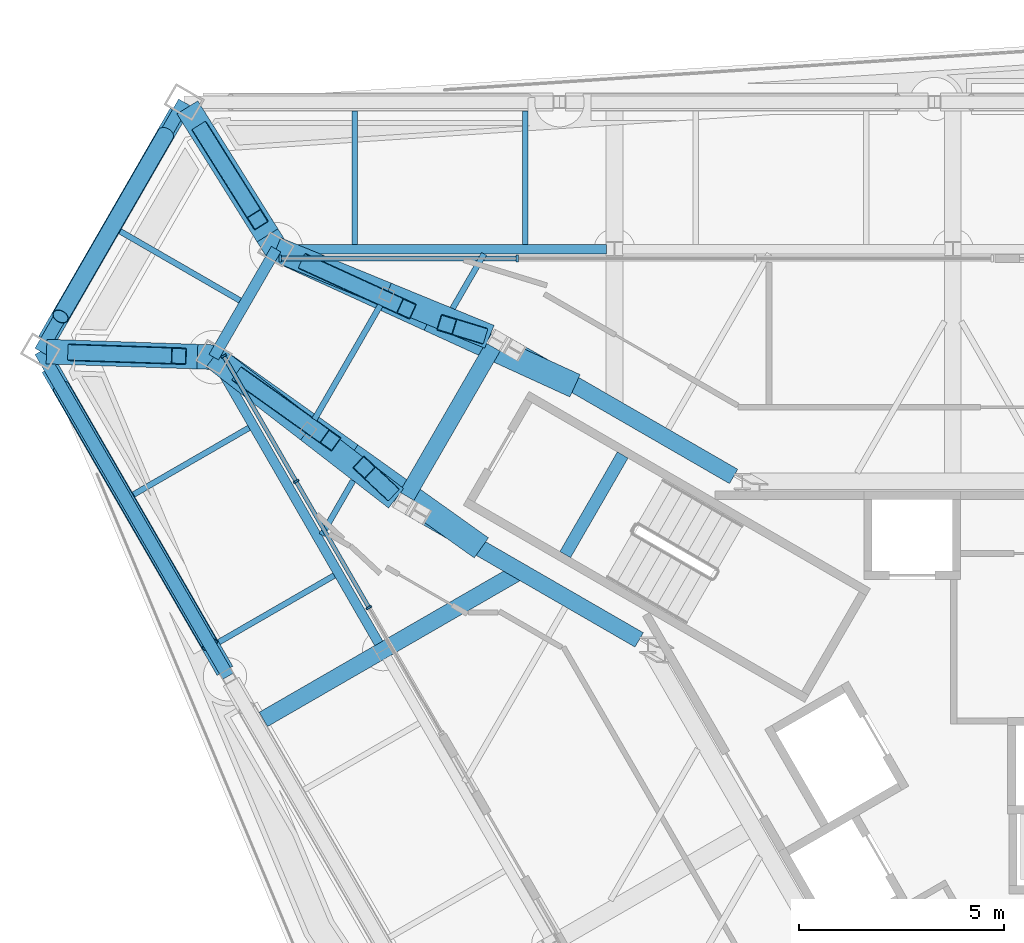
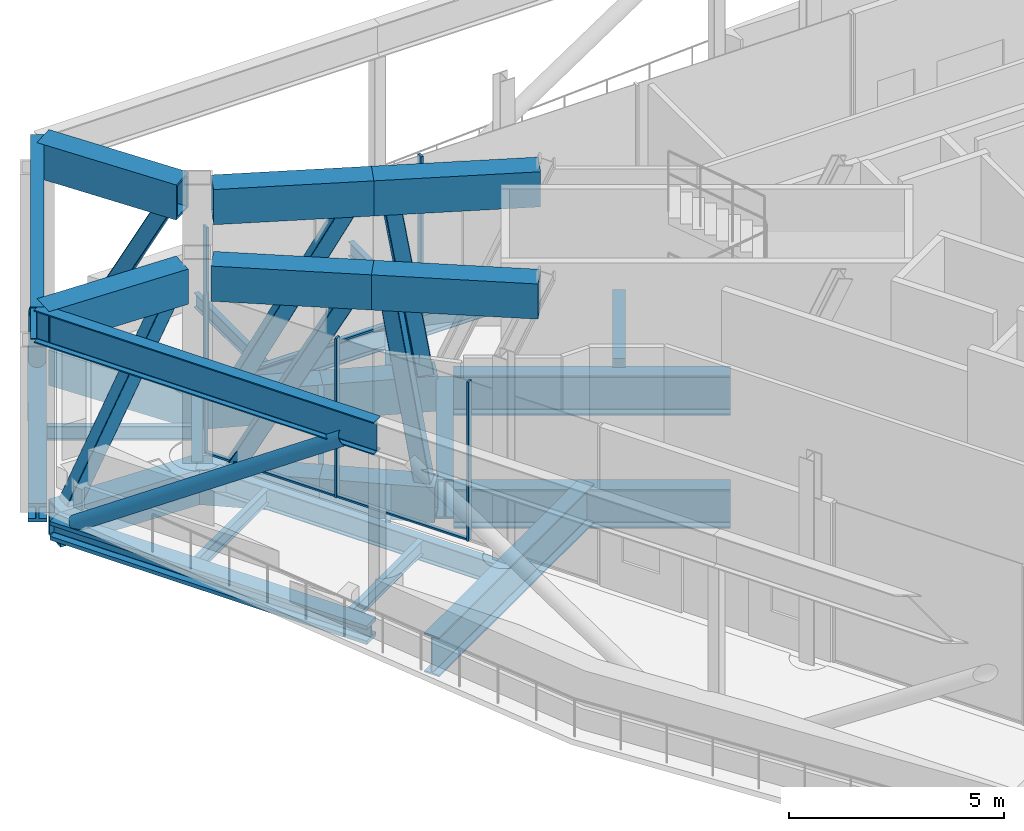
# One storey, part 10 of 25: 32 beams, 16 members, 2 elements without a shape of their own.
"""IFC4 building model written with IfcOpenShell, lengths in metres."""

from ifc_helpers import new_model, si_unit, direction, frame, origin, origin_2d, place, context, subcontext, project, spatial, rectangle, hollow_rectangle, hollow_circle, i_section, extrude, material, material_profile, profile_set, type_object, element, aggregate, save


model = new_model("IFC4")

# Units and contexts
model_context = context("Model", 3, precision=1e-05, world=origin(), true_north=direction((0.0, 1.0)))
body_context = subcontext(model_context, "Body", "Model", "MODEL_VIEW")
ifc_project = project(units=[si_unit("LENGTHUNIT", "METRE"), si_unit("AREAUNIT", "SQUARE_METRE"), si_unit("VOLUMEUNIT", "CUBIC_METRE"), si_unit("PLANEANGLEUNIT", "RADIAN"), si_unit("MASSUNIT", "GRAM", prefix="KILO")], contexts=[model_context])

# Site, building, storey
site_placement = place(None, origin())
site = spatial("IfcSite", under=ifc_project, at=site_placement, CompositionType="ELEMENT")
building_placement = place(site_placement, origin())
building = spatial("IfcBuilding", under=site, at=building_placement, Name="Verrane Prism Tower", CompositionType="ELEMENT")
storey_placement = place(building_placement, frame((0.0, 0.0, 258.199951171875)))
storey = spatial("IfcBuildingStorey", under=building, at=storey_placement, Name="L65", CompositionType="ELEMENT", Elevation=258.199951171875)

# Beams
ifc_material_1 = material(Name="Steel A992", Category="steel")
ifc_material_profile_1 = material_profile(ifc_material_1, i_section(OverallWidth=0.44189453125, OverallDepth=0.53076171875, WebThickness=0.06591796875, FlangeThickness=0.105712890625, FilletRadius=0.01513671875, at=origin_2d()), Name="W14x605")
ifc_profile_set_1 = profile_set([ifc_material_profile_1], Name="Steel A992")
beam_type_1 = type_object("IfcBeamType", Name="Belt truss chord W14x605", PredefinedType="BEAM", material=ifc_profile_set_1)
beam_1_placement = place(storey_placement, frame((-26.10888671875, 10.760009765625, -0.424560546875), z_axis=(0.500268050635, -0.865870589357, 0.0), x_axis=(0.865870589357, 0.500268050635, 0.0)))
element("IfcBeam", 1, at=beam_1_placement, inside=storey, type_object=beam_type_1, Name="Belt truss chord L65", PredefinedType="BEAM", context=body_context, shape_type="SweptSolid", body=[
    extrude(i_section(OverallWidth=0.44189453125, OverallDepth=0.53076171875, WebThickness=0.06591796875, FlangeThickness=0.105712890625, FilletRadius=0.01513671875, at=origin_2d()), origin(), (0.0, 0.0, 1.0), 8.520751953125),
])
beam_2_placement = place(storey_placement, frame((-22.989990234375, 16.97021484375, -0.424560546875), z_axis=(-0.499500311129, -0.866313707142, 0.0), x_axis=(0.866313707142, -0.499500311129, 0.0)))
element("IfcBeam", 2, at=beam_2_placement, inside=storey, type_object=beam_type_1, Name="Belt truss chord L65", PredefinedType="BEAM", context=body_context, shape_type="SweptSolid", body=[
    extrude(i_section(OverallWidth=0.44189453125, OverallDepth=0.53076171875, WebThickness=0.06591796875, FlangeThickness=0.105712890625, FilletRadius=0.01513671875, at=origin_2d()), origin(), (0.0, 0.0, 1.0), 6.40673828125),
])
ifc_material_2 = material(Name="Steel A992", Category="steel")
ifc_material_profile_2 = material_profile(ifc_material_2, i_section(OverallWidth=0.307373046875, OverallDepth=0.927001953125, WebThickness=0.01953125, FlangeThickness=0.031982421875, FilletRadius=0.01904296875, at=origin_2d()), Name="W36x194")
ifc_profile_set_2 = profile_set([ifc_material_profile_2], Name="Steel A992")
beam_type_2 = type_object("IfcBeamType", Name="Belt truss chord W36x194", PredefinedType="BEAM", material=ifc_profile_set_2)
beam_3_placement = place(storey_placement, frame((-26.340087890625, 11.159912109375, 5.176513671875), z_axis=(0.500269138002, -0.865869961116, 0.0), x_axis=(0.865869961116, 0.500269138002, 0.0)))
element("IfcBeam", 3, at=beam_3_placement, inside=storey, type_object=beam_type_2, Name="Belt truss chord L65", PredefinedType="BEAM", context=body_context, shape_type="SweptSolid", body=[
    extrude(i_section(OverallWidth=0.307373046875, OverallDepth=0.927001953125, WebThickness=0.01953125, FlangeThickness=0.031982421875, FilletRadius=0.01904296875, at=origin_2d()), origin(), (0.0, 0.0, 1.0), 9.13525390625),
])
beam_4_placement = place(storey_placement, frame((-22.840087890625, 17.22998046875, 5.176513671875), z_axis=(-0.499512296699, -0.866306796375, 0.0), x_axis=(0.866306796375, -0.499512296699, 0.0)))
element("IfcBeam", 4, at=beam_4_placement, inside=storey, type_object=beam_type_2, Name="Belt truss chord L65", PredefinedType="BEAM", context=body_context, shape_type="SweptSolid", body=[
    extrude(i_section(OverallWidth=0.307373046875, OverallDepth=0.927001953125, WebThickness=0.01953125, FlangeThickness=0.031982421875, FilletRadius=0.01904296875, at=origin_2d()), origin(), (0.0, 0.0, 1.0), 7.0068359375),
])

# Members
ifc_material_3 = material(Name="Steel A500 Grade C", Category="steel")
ifc_material_profile_3 = material_profile(ifc_material_3, hollow_circle(Radius=0.203125, WallThickness=0.0126953125, at=origin_2d()), Name="HSS16.000x0.500")
ifc_profile_set_3 = profile_set([ifc_material_profile_3], Name="Steel A500 Grade C")
member_type_1 = type_object("IfcMemberType", Name="Belt truss diagonal HSS16.000x0.500", PredefinedType="BRACE", material=ifc_profile_set_3)
member_1_placement = place(storey_placement, frame((-23.28759765625, 16.45361328125, -0.158935546875), z_axis=(-0.358144666425, -0.621104896538, 0.697109105813), x_axis=(0.866297303456, -0.499528759958, 0.0)))
element("IfcMember", 5, at=member_1_placement, inside=storey, type_object=member_type_1, Name="Belt truss diagonal L65", PredefinedType="BRACE", context=body_context, shape_type="SweptSolid", body=[
    extrude(hollow_circle(Radius=0.203125, WallThickness=0.0126953125, at=origin_2d()), origin(), (0.0, 0.0, 1.0), 7.153564453125),
])
member_2_placement = place(storey_placement, frame((-25.835205078125, 10.28662109375, -0.158935546875), z_axis=(0.412055631468, -0.713241538327, 0.567006758849), x_axis=(0.865885833948, 0.500241664167, 0.0)))
element("IfcMember", 6, at=member_2_placement, inside=storey, type_object=member_type_1, Name="Belt truss diagonal L65", PredefinedType="BRACE", context=body_context, shape_type="SweptSolid", body=[
    extrude(hollow_circle(Radius=0.203125, WallThickness=0.0126953125, at=origin_2d()), origin(), (0.0, 0.0, 1.0), 8.794921875),
])

# Beams
ifc_material_4 = material(Name="Steel A992", Category="steel")
ifc_material_profile_4 = material_profile(ifc_material_4, i_section(OverallWidth=0.2666015625, OverallDepth=0.7568359375, WebThickness=0.013916015625, FlangeThickness=0.019287109375, FilletRadius=0.0166015625, at=origin_2d()), Name="W30x108")
ifc_profile_set_4 = profile_set([ifc_material_profile_4], Name="Steel A992")
beam_type_3 = type_object("IfcBeamType", Name="Chamfer spandrel beam W30x108", PredefinedType="SPANDREL", material=ifc_profile_set_4)
beam_5_placement = place(storey_placement, frame((-20.60009765625, 13.64990234375, -0.538330078125), z_axis=(-0.500408821137, -0.865789242096, 0.0), x_axis=(0.865789242096, -0.500408821137, 0.0)))
element("IfcBeam", 7, at=beam_5_placement, inside=storey, type_object=beam_type_3, Name="Chamfer spandrel beam L65", PredefinedType="SPANDREL", context=body_context, shape_type="SweptSolid", body=[
    extrude(i_section(OverallWidth=0.2666015625, OverallDepth=0.7568359375, WebThickness=0.013916015625, FlangeThickness=0.019287109375, FilletRadius=0.0166015625, at=origin_2d()), origin(), (0.0, 0.0, 1.0), 3.03759765625),
])
ifc_material_5 = material(Name="Steel A992", Category="steel")
ifc_material_profile_5 = material_profile(ifc_material_5, i_section(OverallWidth=0.140380859375, OverallDepth=0.40380859375, WebThickness=0.007080078125, FlangeThickness=0.01123046875, FilletRadius=0.01025390625, at=origin_2d()), Name="W16x31")
ifc_profile_set_5 = profile_set([ifc_material_profile_5], Name="Steel A992")
beam_type_4 = type_object("IfcBeamType", Name="Floor beam W16x31", PredefinedType="BEAM", material=ifc_profile_set_5)
for number, where, z_axis, x_axis, name in (
    (8, (-14.534423828125, 13.764892578125, -0.36181640625), (0.0, 1.0, 0.0), (-1.0, 0.0, 0.0), "Floor beam L65"),
    (9, (-18.687255859375, 13.764892578125, -0.36181640625), (0.0, 1.0, 0.0), (-1.0, 0.0, 0.0), "Floor beam L65"),
):
    element("IfcBeam", number, at=place(storey_placement, frame(where, z_axis=z_axis, x_axis=x_axis)), inside=storey, type_object=beam_type_4, Name=name, PredefinedType="BEAM", context=body_context, shape_type="SweptSolid", body=[
        extrude(i_section(OverallWidth=0.140380859375, OverallDepth=0.40380859375, WebThickness=0.007080078125, FlangeThickness=0.01123046875, FilletRadius=0.01025390625, at=origin_2d()), origin(), (0.0, 0.0, 1.0), 3.244140625),
    ])
beam_6_placement = place(storey_placement, frame((-16.30078125, 12.208251953125, -0.36181640625), z_axis=(0.499961586444, 0.866047580726, 0.0), x_axis=(-0.866047580726, 0.499961586444, 0.0)))
element("IfcBeam", 10, at=beam_6_placement, inside=storey, type_object=beam_type_4, Name="Floor beam L65", PredefinedType="BEAM", context=body_context, shape_type="SweptSolid", body=[
    extrude(i_section(OverallWidth=0.140380859375, OverallDepth=0.40380859375, WebThickness=0.007080078125, FlangeThickness=0.01123046875, FilletRadius=0.01025390625, at=origin_2d()), origin(), (0.0, 0.0, 1.0), 1.53173828125),
])
beam_7_placement = place(storey_placement, frame((-21.994384765625, 4.080322265625, -0.36181640625), z_axis=(0.86601641886, 0.500015562023, 0.0), x_axis=(-0.500015562023, 0.86601641886, 0.0)))
element("IfcBeam", 11, at=beam_7_placement, inside=storey, type_object=beam_type_4, Name="Floor beam L65", PredefinedType="BEAM", context=body_context, shape_type="SweptSolid", body=[
    extrude(i_section(OverallWidth=0.140380859375, OverallDepth=0.40380859375, WebThickness=0.007080078125, FlangeThickness=0.01123046875, FilletRadius=0.01025390625, at=origin_2d()), origin(), (0.0, 0.0, 1.0), 3.24462890625),
])
beam_8_placement = place(storey_placement, frame((-24.071533203125, 7.67529296875, -0.36181640625), z_axis=(0.866022812202, 0.500004488726, 0.0), x_axis=(-0.500004488726, 0.866022812202, 0.0)))
element("IfcBeam", 12, at=beam_8_placement, inside=storey, type_object=beam_type_4, Name="Floor beam L65", PredefinedType="BEAM", context=body_context, shape_type="SweptSolid", body=[
    extrude(i_section(OverallWidth=0.140380859375, OverallDepth=0.40380859375, WebThickness=0.007080078125, FlangeThickness=0.01123046875, FilletRadius=0.01025390625, at=origin_2d()), origin(), (0.0, 0.0, 1.0), 3.2470703125),
])
beam_9_placement = place(storey_placement, frame((-19.48876953125, 6.690185546875, -0.36181640625), z_axis=(0.500040617714, 0.866001951866, 0.0), x_axis=(-0.866001951866, 0.500040617714, 0.0)))
element("IfcBeam", 13, at=beam_9_placement, inside=storey, type_object=beam_type_4, Name="Floor beam L65", PredefinedType="BEAM", context=body_context, shape_type="SweptSolid", body=[
    extrude(i_section(OverallWidth=0.140380859375, OverallDepth=0.40380859375, WebThickness=0.007080078125, FlangeThickness=0.01123046875, FilletRadius=0.01025390625, at=origin_2d()), origin(), (0.0, 0.0, 1.0), 1.527587890625),
])
beam_10_placement = place(storey_placement, frame((-21.477783203125, 12.398193359375, -0.36181640625), z_axis=(-0.866038524942, 0.4999772728, 0.0), x_axis=(-0.4999772728, -0.866038524942, 0.0)))
element("IfcBeam", 14, at=beam_10_placement, inside=storey, type_object=beam_type_4, Name="Floor beam L65", PredefinedType="BEAM", context=body_context, shape_type="SweptSolid", body=[
    extrude(i_section(OverallWidth=0.140380859375, OverallDepth=0.40380859375, WebThickness=0.007080078125, FlangeThickness=0.01123046875, FilletRadius=0.01025390625, at=origin_2d()), origin(), (0.0, 0.0, 1.0), 3.372802734375),
])
beam_11_placement = place(storey_placement, frame((-19.66796875, 9.501708984375, -0.36181640625), z_axis=(0.500014160211, 0.866017228228, 0.0), x_axis=(-0.866017228228, 0.500014160211, 0.0)))
element("IfcBeam", 15, at=beam_11_placement, inside=storey, type_object=beam_type_4, Name="Floor beam L65", PredefinedType="BEAM", context=body_context, shape_type="SweptSolid", body=[
    extrude(i_section(OverallWidth=0.140380859375, OverallDepth=0.40380859375, WebThickness=0.007080078125, FlangeThickness=0.01123046875, FilletRadius=0.01025390625, at=origin_2d()), origin(), (0.0, 0.0, 1.0), 3.2119140625),
])

# Curtain wall, members
ifc_material_6 = material(Name="Aluminium framed insulated glazing", Category="aluminium")
curtain_wall_type_1 = type_object("IfcCurtainWallType", Name="Curtain wall CW-C 4200 module", PredefinedType="NOTDEFINED", material=ifc_material_6)
curtain_wall_1_placement = place(storey_placement, origin())
curtain_wall_1 = element("IfcCurtainWall", 16, at=curtain_wall_1_placement, inside=storey, type_object=curtain_wall_type_1, Name="Refuge lounge glazing south-west face L65 1", PredefinedType="NOTDEFINED")
ifc_material_7 = material(Name="Aluminium alloy 6063-T6", Category="aluminium")
ifc_material_profile_6 = material_profile(ifc_material_7, rectangle(XDim=0.139892578125, YDim=0.050048828125, at=origin_2d()), Name="Mullion 50x140 aluminium")
ifc_profile_set_6 = profile_set([ifc_material_profile_6], Name="Aluminium alloy 6063-T6")
member_type_2 = type_object("IfcMemberType", Name="Mullion 50x140 aluminium", PredefinedType="MULLION", material=ifc_profile_set_6)
member_3_placement = place(storey_placement, frame((-21.876708984375, 11.048095703125, 0.0), z_axis=(0.0, 0.0, 1.0), x_axis=(0.866026892468, 0.499997421516, 0.0)))
member_3 = element("IfcMember", 17, at=member_3_placement, type_object=member_type_2, Name="CW65.4.1 mullion 1", PredefinedType="MULLION", context=body_context, shape_type="SweptSolid", body=[
    extrude(rectangle(XDim=0.139892578125, YDim=0.050048828125, at=origin_2d()), origin(), (0.0, 0.0, 1.0), 4.5224609375),
])
member_4_placement = place(storey_placement, frame((-20.114013671875, 7.9951171875, 0.0), z_axis=(0.0, 0.0, 1.0), x_axis=(0.866026892468, 0.499997421516, 0.0)))
member_4 = element("IfcMember", 18, at=member_4_placement, type_object=member_type_2, Name="CW65.4.1 mullion 2", PredefinedType="MULLION", context=body_context, shape_type="SweptSolid", body=[
    extrude(rectangle(XDim=0.139892578125, YDim=0.050048828125, at=origin_2d()), origin(), (0.0, 0.0, 1.0), 4.5224609375),
])
member_5_placement = place(storey_placement, frame((-18.3388671875, 4.92041015625, 0.0), z_axis=(0.0, 0.0, 1.0), x_axis=(0.866026892468, 0.499997421516, 0.0)))
member_5 = element("IfcMember", 19, at=member_5_placement, type_object=member_type_2, Name="CW65.4.1 mullion 3", PredefinedType="MULLION", context=body_context, shape_type="SweptSolid", body=[
    extrude(rectangle(XDim=0.139892578125, YDim=0.050048828125, at=origin_2d()), origin(), (0.0, 0.0, 1.0), 4.5224609375),
])

ifc_material_8 = material(Name="Aluminium framed insulated glazing", Category="aluminium")
curtain_wall_type_2 = type_object("IfcCurtainWallType", Name="Curtain wall CW-B 5600 module", PredefinedType="NOTDEFINED", material=ifc_material_8)
curtain_wall_2_placement = place(storey_placement, origin())
curtain_wall_2 = element("IfcCurtainWall", 20, at=curtain_wall_2_placement, inside=storey, type_object=curtain_wall_type_2, Name="Refuge lounge glazing north face L65 2", PredefinedType="NOTDEFINED")
ifc_material_9 = material(Name="Aluminium alloy 6063-T6", Category="aluminium")
ifc_material_profile_7 = material_profile(ifc_material_9, rectangle(XDim=0.159912109375, YDim=0.06005859375, at=origin_2d()), Name="Mullion 60x160 aluminium")
ifc_profile_set_7 = profile_set([ifc_material_profile_7], Name="Aluminium alloy 6063-T6")
member_type_3 = type_object("IfcMemberType", Name="Mullion 60x160 aluminium", PredefinedType="MULLION", material=ifc_profile_set_7)
member_6_placement = place(storey_placement, frame((-14.73095703125, 13.421875, 0.0), z_axis=(0.0, 0.0, 1.0), x_axis=(0.0, -1.0, 0.0)))
member_6 = element("IfcMember", 21, at=member_6_placement, type_object=member_type_3, Name="CW65.2.2 mullion 3", PredefinedType="MULLION", context=body_context, shape_type="SweptSolid", body=[
    extrude(rectangle(XDim=0.159912109375, YDim=0.06005859375, at=origin_2d()), origin(), (0.0, 0.0, 1.0), 4.5224609375),
])
member_7_placement = place(storey_placement, frame((-20.50146484375, 13.421875, 0.0), z_axis=(0.0, 0.0, 1.0), x_axis=(0.0, -1.0, 0.0)))
member_7 = element("IfcMember", 22, at=member_7_placement, type_object=member_type_3, Name="CW65.2.2 mullion 4", PredefinedType="MULLION", context=body_context, shape_type="SweptSolid", body=[
    extrude(rectangle(XDim=0.159912109375, YDim=0.06005859375, at=origin_2d()), origin(), (0.0, 0.0, 1.0), 4.5224609375),
])

# Beams
ifc_material_10 = material(Name="Steel A572 Grade 50", Category="steel")
ifc_material_profile_8 = material_profile(ifc_material_10, hollow_rectangle(XDim=0.60009765625, YDim=1.0, WallThickness=0.06005859375, at=origin_2d()), Name="BOX 1000x600x60")
ifc_profile_set_8 = profile_set([ifc_material_profile_8], Name="Steel A572 Grade 50")
beam_type_5 = type_object("IfcBeamType", Name="Outrigger truss chord BOX 1000x600x60", PredefinedType="BEAM", material=ifc_profile_set_8)
beam_12_placement = place(storey_placement, frame((-22.599853515625, 16.84619140625, -0.659912109375), z_axis=(0.530394678022, -0.847750839295, 0.0), x_axis=(0.847750839295, 0.530394678022, 0.0)))
element("IfcBeam", 23, at=beam_12_placement, inside=storey, type_object=beam_type_5, Name="Outrigger truss chord L65", PredefinedType="BEAM", context=body_context, shape_type="SweptSolid", body=[
    extrude(hollow_rectangle(XDim=0.60009765625, YDim=1.0, WallThickness=0.06005859375, at=origin_2d()), origin(), (0.0, 0.0, 1.0), 3.770263671875),
])
beam_13_placement = place(storey_placement, frame((-20.60009765625, 13.64990234375, -0.659912109375), z_axis=(0.925009808575, -0.379943224758, 0.0), x_axis=(0.379943224758, 0.925009808575, 0.0)))
element("IfcBeam", 24, at=beam_13_placement, inside=storey, type_object=beam_type_5, Name="Outrigger truss chord L65", PredefinedType="BEAM", context=body_context, shape_type="SweptSolid", body=[
    extrude(hollow_rectangle(XDim=0.60009765625, YDim=1.0, WallThickness=0.06005859375, at=origin_2d()), origin(), (0.0, 0.0, 1.0), 2.908203125),
])
beam_14_placement = place(storey_placement, frame((-17.909912109375, 12.544921875, -0.659912109375), z_axis=(0.924997176745, -0.379973976758, 0.0), x_axis=(0.379973976758, 0.924997176745, 0.0)))
element("IfcBeam", 25, at=beam_14_placement, inside=storey, type_object=beam_type_5, Name="Outrigger truss chord L65", PredefinedType="BEAM", context=body_context, shape_type="SweptSolid", body=[
    extrude(hollow_rectangle(XDim=0.60009765625, YDim=1.0, WallThickness=0.06005859375, at=origin_2d()), origin(), (0.0, 0.0, 1.0), 2.70703125),
])
beam_15_placement = place(storey_placement, frame((-22.760498046875, 17.102783203125, 5.14013671875), z_axis=(0.530410712547, -0.847740807096, 0.0), x_axis=(0.847740807096, 0.530410712547, 0.0)))
element("IfcBeam", 26, at=beam_15_placement, inside=storey, type_object=beam_type_5, Name="Outrigger truss chord L65", PredefinedType="BEAM", context=body_context, shape_type="SweptSolid", body=[
    extrude(hollow_rectangle(XDim=0.60009765625, YDim=1.0, WallThickness=0.06005859375, at=origin_2d()), origin(), (0.0, 0.0, 1.0), 3.6767578125),
])
beam_16_placement = place(storey_placement, frame((-20.2802734375, 13.50390625, 5.14013671875), z_axis=(0.909483620055, -0.41573975616, 0.0), x_axis=(0.41573975616, 0.909483620055, 0.0)))
element("IfcBeam", 27, at=beam_16_placement, inside=storey, type_object=beam_type_5, Name="Outrigger truss chord L65", PredefinedType="BEAM", context=body_context, shape_type="SweptSolid", body=[
    extrude(hollow_rectangle(XDim=0.60009765625, YDim=1.0, WallThickness=0.06005859375, at=origin_2d()), origin(), (0.0, 0.0, 1.0), 3.74951171875),
])
beam_17_placement = place(storey_placement, frame((-16.8701171875, 11.945068359375, 5.14013671875), z_axis=(0.90947920846, -0.41574940695, 0.0), x_axis=(0.41574940695, 0.90947920846, 0.0)))
element("IfcBeam", 28, at=beam_17_placement, inside=storey, type_object=beam_type_5, Name="Outrigger truss chord L65", PredefinedType="BEAM", context=body_context, shape_type="SweptSolid", body=[
    extrude(hollow_rectangle(XDim=0.60009765625, YDim=1.0, WallThickness=0.06005859375, at=origin_2d()), origin(), (0.0, 0.0, 1.0), 3.90087890625),
])
beam_18_placement = place(storey_placement, frame((-25.88671875, 11.14501953125, -0.659912109375), z_axis=(0.99944978539, -0.033168154662, 0.0), x_axis=(0.033168154662, 0.99944978539, 0.0)))
element("IfcBeam", 29, at=beam_18_placement, inside=storey, type_object=beam_type_5, Name="Outrigger truss chord L65", PredefinedType="BEAM", context=body_context, shape_type="SweptSolid", body=[
    extrude(hollow_rectangle(XDim=0.60009765625, YDim=1.0, WallThickness=0.06005859375, at=origin_2d()), origin(), (0.0, 0.0, 1.0), 3.7685546875),
])
beam_19_placement = place(storey_placement, frame((-22.1201171875, 11.02001953125, -0.659912109375), z_axis=(0.790832488631, -0.612032658381, 0.0), x_axis=(0.612032658381, 0.790832488631, 0.0)))
element("IfcBeam", 30, at=beam_19_placement, inside=storey, type_object=beam_type_5, Name="Outrigger truss chord L65", PredefinedType="BEAM", context=body_context, shape_type="SweptSolid", body=[
    extrude(hollow_rectangle(XDim=0.60009765625, YDim=1.0, WallThickness=0.06005859375, at=origin_2d()), origin(), (0.0, 0.0, 1.0), 2.908447265625),
])
beam_20_placement = place(storey_placement, frame((-19.820068359375, 9.239990234375, -0.659912109375), z_axis=(0.790850433722, -0.612009470092, 0.0), x_axis=(0.612009470092, 0.790850433722, 0.0)))
element("IfcBeam", 31, at=beam_20_placement, inside=storey, type_object=beam_type_5, Name="Outrigger truss chord L65", PredefinedType="BEAM", context=body_context, shape_type="SweptSolid", body=[
    extrude(hollow_rectangle(XDim=0.60009765625, YDim=1.0, WallThickness=0.06005859375, at=origin_2d()), origin(), (0.0, 0.0, 1.0), 2.70703125),
])
beam_21_placement = place(storey_placement, frame((-26.190185546875, 11.155029296875, 5.14013671875), z_axis=(0.999450568928, -0.033144536047, 0.0), x_axis=(0.033144536047, 0.999450568928, 0.0)))
element("IfcBeam", 32, at=beam_21_placement, inside=storey, type_object=beam_type_5, Name="Outrigger truss chord L65", PredefinedType="BEAM", context=body_context, shape_type="SweptSolid", body=[
    extrude(hollow_rectangle(XDim=0.60009765625, YDim=1.0, WallThickness=0.06005859375, at=origin_2d()), origin(), (0.0, 0.0, 1.0), 3.675537109375),
])
beam_22_placement = place(storey_placement, frame((-21.833740234375, 10.81591796875, 5.14013671875), z_axis=(0.814388447084, -0.580320133423, 0.0), x_axis=(0.580320133423, 0.814388447084, 0.0)))
element("IfcBeam", 33, at=beam_22_placement, inside=storey, type_object=beam_type_5, Name="Outrigger truss chord L65", PredefinedType="BEAM", context=body_context, shape_type="SweptSolid", body=[
    extrude(hollow_rectangle(XDim=0.60009765625, YDim=1.0, WallThickness=0.06005859375, at=origin_2d()), origin(), (0.0, 0.0, 1.0), 3.749755859375),
])
beam_23_placement = place(storey_placement, frame((-18.780029296875, 8.639892578125, 5.14013671875), z_axis=(0.814413732221, -0.580284648056, 0.0), x_axis=(0.580284648056, 0.814413732221, 0.0)))
element("IfcBeam", 34, at=beam_23_placement, inside=storey, type_object=beam_type_5, Name="Outrigger truss chord L65", PredefinedType="BEAM", context=body_context, shape_type="SweptSolid", body=[
    extrude(hollow_rectangle(XDim=0.60009765625, YDim=1.0, WallThickness=0.06005859375, at=origin_2d()), origin(), (0.0, 0.0, 1.0), 3.90087890625),
])

# Members
ifc_material_11 = material(Name="Steel A500 Grade C", Category="steel")
ifc_material_profile_9 = material_profile(ifc_material_11, hollow_rectangle(XDim=0.406494140625, YDim=0.406494140625, WallThickness=0.01904296875, InnerFilletRadius=0.009521484375, OuterFilletRadius=0.028564453125, at=origin_2d()), Name="HSS16x16x3/4")
ifc_profile_set_9 = profile_set([ifc_material_profile_9], Name="Steel A500 Grade C")
member_type_4 = type_object("IfcMemberType", Name="Outrigger truss diagonal HSS16x16x3/4", PredefinedType="BRACE", material=ifc_profile_set_9)
member_8_placement = place(storey_placement, frame((-22.3896484375, 16.51025390625, -0.219970703125), z_axis=(0.242194612043, -0.387087560772, 0.889665662029), x_axis=(0.847737476757, 0.530416035298, 0.0)))
element("IfcMember", 35, at=member_8_placement, inside=storey, type_object=member_type_4, Name="Outrigger truss diagonal L65", PredefinedType="BRACE", context=body_context, shape_type="SweptSolid", body=[
    extrude(hollow_rectangle(XDim=0.406494140625, YDim=0.406494140625, WallThickness=0.01904296875, InnerFilletRadius=0.009521484375, OuterFilletRadius=0.028564453125, at=origin_2d()), origin(), (0.0, 0.0, 1.0), 5.530029296875),
])
member_9_placement = place(storey_placement, frame((-19.819091796875, 13.293212890625, -0.219970703125), z_axis=(0.428946421187, -0.196117296721, 0.881783972228), x_axis=(0.415807994057, 0.909452424307, 0.0)))
element("IfcMember", 36, at=member_9_placement, inside=storey, type_object=member_type_4, Name="Outrigger truss diagonal L65", PredefinedType="BRACE", context=body_context, shape_type="SweptSolid", body=[
    extrude(hollow_rectangle(XDim=0.406494140625, YDim=0.406494140625, WallThickness=0.01904296875, InnerFilletRadius=0.009521484375, OuterFilletRadius=0.028564453125, at=origin_2d()), origin(), (0.0, 0.0, 1.0), 5.57958984375),
])
member_10_placement = place(storey_placement, frame((-15.6923828125, 11.584716796875, -0.219970703125), z_axis=(-0.150779627656, 0.046111026852, 0.987491406082), x_axis=(-0.292447502684, -0.956281578916, 0.0)))
element("IfcMember", 37, at=member_10_placement, inside=storey, type_object=member_type_4, Name="Outrigger truss diagonal L65", PredefinedType="BRACE", context=body_context, shape_type="SweptSolid", body=[
    extrude(hollow_rectangle(XDim=0.406494140625, YDim=0.406494140625, WallThickness=0.01904296875, InnerFilletRadius=0.009521484375, OuterFilletRadius=0.028564453125, at=origin_2d()), origin(), (0.0, 0.0, 1.0), 4.982177734375),
])
member_11_placement = place(storey_placement, frame((-25.491455078125, 11.1318359375, -0.219970703125), z_axis=(0.456251772276, -0.015143638271, 0.889721861322), x_axis=(0.033173139118, 0.999449619961, 0.0)))
element("IfcMember", 38, at=member_11_placement, inside=storey, type_object=member_type_4, Name="Outrigger truss diagonal L65", PredefinedType="BRACE", context=body_context, shape_type="SweptSolid", body=[
    extrude(hollow_rectangle(XDim=0.406494140625, YDim=0.406494140625, WallThickness=0.01904296875, InnerFilletRadius=0.009521484375, OuterFilletRadius=0.028564453125, at=origin_2d()), origin(), (0.0, 0.0, 1.0), 5.52978515625),
])
member_12_placement = place(storey_placement, frame((-21.4208984375, 10.521728515625, -0.219970703125), z_axis=(0.384131801403, -0.273736023417, 0.881766039625), x_axis=(0.580334009192, 0.814378559255, 0.0)))
element("IfcMember", 39, at=member_12_placement, inside=storey, type_object=member_type_4, Name="Outrigger truss diagonal L65", PredefinedType="BRACE", context=body_context, shape_type="SweptSolid", body=[
    extrude(hollow_rectangle(XDim=0.406494140625, YDim=0.406494140625, WallThickness=0.01904296875, InnerFilletRadius=0.009521484375, OuterFilletRadius=0.028564453125, at=origin_2d()), origin(), (0.0, 0.0, 1.0), 5.57958984375),
])
member_13_placement = place(storey_placement, frame((-17.880615234375, 7.7978515625, -0.219970703125), z_axis=(-0.115201547762, 0.107851385208, 0.987469838578), x_axis=(-0.68343485063, -0.730011510145, 0.0)))
element("IfcMember", 40, at=member_13_placement, inside=storey, type_object=member_type_4, Name="Outrigger truss diagonal L65", PredefinedType="BRACE", context=body_context, shape_type="SweptSolid", body=[
    extrude(hollow_rectangle(XDim=0.406494140625, YDim=0.406494140625, WallThickness=0.01904296875, InnerFilletRadius=0.009521484375, OuterFilletRadius=0.028564453125, at=origin_2d()), origin(), (0.0, 0.0, 1.0), 4.982421875),
])

# Beams
ifc_material_12 = material(Name="Steel A992", Category="steel")
ifc_material_profile_10 = material_profile(ifc_material_12, i_section(OverallWidth=0.23046875, OverallDepth=0.6171875, WebThickness=0.01318359375, FlangeThickness=0.022216796875, FilletRadius=0.012939453125, at=origin_2d()), Name="W24x94")
ifc_profile_set_10 = profile_set([ifc_material_profile_10], Name="Steel A992")
beam_type_6 = type_object("IfcBeamType", Name="Spandrel beam W24x94", PredefinedType="SPANDREL", material=ifc_profile_set_10)
beam_24_placement = place(storey_placement, frame((-12.556884765625, 13.64990234375, -0.468505859375), z_axis=(-1.0, 0.0, 0.0), x_axis=(0.0, -1.0, 0.0)))
element("IfcBeam", 41, at=beam_24_placement, inside=storey, type_object=beam_type_6, Name="Spandrel beam L65", PredefinedType="SPANDREL", context=body_context, shape_type="SweptSolid", body=[
    extrude(i_section(OverallWidth=0.23046875, OverallDepth=0.6171875, WebThickness=0.01318359375, FlangeThickness=0.022216796875, FilletRadius=0.012939453125, at=origin_2d()), origin(), (0.0, 0.0, 1.0), 7.638916015625),
])
beam_25_placement = place(storey_placement, frame((-21.91796875, 10.669921875, -0.468505859375), z_axis=(0.499791590914, -0.866145695395, 0.0), x_axis=(0.866145695395, 0.499791590914, 0.0)))
element("IfcBeam", 42, at=beam_25_placement, inside=storey, type_object=beam_type_6, Name="Spandrel beam L65", PredefinedType="SPANDREL", context=body_context, shape_type="SweptSolid", body=[
    extrude(i_section(OverallWidth=0.23046875, OverallDepth=0.6171875, WebThickness=0.01318359375, FlangeThickness=0.022216796875, FilletRadius=0.012939453125, at=origin_2d()), origin(), (0.0, 0.0, 1.0), 7.642333984375),
])
ifc_material_13 = material(Name="Concrete C40/50", Category="concrete")
ifc_material_profile_11 = material_profile(ifc_material_13, rectangle(XDim=0.300048828125, YDim=0.25, at=origin_2d()), Name="RC 300x250")
ifc_profile_set_11 = profile_set([ifc_material_profile_11], Name="Concrete C40/50")
beam_type_7 = type_object("IfcBeamType", Name="Stair landing trimmer beam 300x250 concrete C40/50", PredefinedType="BEAM", material=ifc_profile_set_11)
beam_26_placement = place(storey_placement, frame((-13.560546875, 6.212646484375, 2.574951171875), z_axis=(0.500049511043, 0.865996816683, 0.0), x_axis=(-0.865996816683, 0.500049511043, 0.0)))
element("IfcBeam", 43, at=beam_26_placement, inside=storey, type_object=beam_type_7, Name="Stair 2 landing trimmer beam", PredefinedType="BEAM", context=body_context, shape_type="SweptSolid", body=[
    extrude(rectangle(XDim=0.300048828125, YDim=0.25, at=origin_2d()), origin(), (0.0, 0.0, 1.0), 2.800048828125),
])
ifc_material_14 = material(Name="Steel A992", Category="steel")
ifc_material_profile_12 = material_profile(ifc_material_14, i_section(OverallWidth=0.40380859375, OverallDepth=1.11767578125, WebThickness=0.026123046875, FlangeThickness=0.044921875, FilletRadius=0.02001953125, at=origin_2d()), Name="W44x335")
ifc_profile_set_12 = profile_set([ifc_material_profile_12], Name="Steel A992")
beam_type_8 = type_object("IfcBeamType", Name="Transfer girder W44x335", PredefinedType="BEAM", material=ifc_profile_set_12)
beam_27_placement = place(storey_placement, frame((-9.45947265625, 8.114990234375, -0.808837890625), z_axis=(-0.866080992722, 0.499903704773, 0.0), x_axis=(-0.499903704773, -0.866080992722, 0.0)))
element("IfcBeam", 44, at=beam_27_placement, inside=storey, type_object=beam_type_8, Name="Transfer girder L65", PredefinedType="BEAM", context=body_context, shape_type="SweptSolid", body=[
    extrude(i_section(OverallWidth=0.40380859375, OverallDepth=1.11767578125, WebThickness=0.026123046875, FlangeThickness=0.044921875, FilletRadius=0.02001953125, at=origin_2d()), origin(), (0.0, 0.0, 1.0), 6.451904296875),
])
beam_28_placement = place(storey_placement, frame((-15.3203125, 11.266357421875, -0.808837890625), z_axis=(-0.500375511519, -0.865808493532, 0.0), x_axis=(0.865808493532, -0.500375511519, 0.0)))
element("IfcBeam", 45, at=beam_28_placement, inside=storey, type_object=beam_type_8, Name="Transfer girder L65", PredefinedType="BEAM", context=body_context, shape_type="SweptSolid", body=[
    extrude(i_section(OverallWidth=0.40380859375, OverallDepth=1.11767578125, WebThickness=0.026123046875, FlangeThickness=0.044921875, FilletRadius=0.02001953125, at=origin_2d()), origin(), (0.0, 0.0, 1.0), 4.195556640625),
])
beam_29_placement = place(storey_placement, frame((-17.347412109375, 7.3603515625, -0.808837890625), z_axis=(0.866080992722, -0.499903704773, 0.0), x_axis=(0.499903704773, 0.866080992722, 0.0)))
element("IfcBeam", 46, at=beam_29_placement, inside=storey, type_object=beam_type_8, Name="Transfer girder L65", PredefinedType="BEAM", context=body_context, shape_type="SweptSolid", body=[
    extrude(i_section(OverallWidth=0.40380859375, OverallDepth=1.11767578125, WebThickness=0.026123046875, FlangeThickness=0.044921875, FilletRadius=0.02001953125, at=origin_2d()), origin(), (0.0, 0.0, 1.0), 6.451904296875),
])
beam_30_placement = place(storey_placement, frame((-20.910400390625, 2.19970703125, -0.71875), z_axis=(0.866026189411, 0.499998639253, 0.0), x_axis=(-0.499998639253, 0.866026189411, 0.0)))
element("IfcBeam", 47, at=beam_30_placement, inside=storey, type_object=beam_type_8, Name="Transfer girder L65", PredefinedType="BEAM", context=body_context, shape_type="SweptSolid", body=[
    extrude(i_section(OverallWidth=0.40380859375, OverallDepth=1.11767578125, WebThickness=0.026123046875, FlangeThickness=0.044921875, FilletRadius=0.02001953125, at=origin_2d()), origin(), (0.0, 0.0, 1.0), 7.21826171875),
])

# Member
ifc_material_15 = material(Name="Aluminium alloy 6063-T6", Category="aluminium")
ifc_material_profile_13 = material_profile(ifc_material_15, rectangle(XDim=0.10009765625, YDim=0.050048828125, at=origin_2d()), Name="Transom 50x100 aluminium")
ifc_profile_set_13 = profile_set([ifc_material_profile_13], Name="Aluminium alloy 6063-T6")
member_type_5 = type_object("IfcMemberType", Name="Transom 50x100 aluminium", PredefinedType="USERDEFINED", material=ifc_profile_set_13)
member_14_placement = place(storey_placement, frame((-21.8642578125, 11.026611328125, 0.025146484375), z_axis=(0.499969750793, -0.866042867468, 0.0), x_axis=(0.866042867468, 0.499969750793, 0.0)))
member_14 = element("IfcMember", 48, at=member_14_placement, type_object=member_type_5, Name="CW65.4.1 transom 1", ObjectType="TRANSOM", PredefinedType="USERDEFINED", context=body_context, shape_type="SweptSolid", body=[
    extrude(rectangle(XDim=0.10009765625, YDim=0.050048828125, at=origin_2d()), origin(), (0.0, 0.0, 1.0), 3.475341796875),
])

member_15_placement = place(storey_placement, frame((-20.1015625, 7.973388671875, 0.025146484375), z_axis=(0.499980071345, -0.866036909293, 0.0), x_axis=(0.866036909293, 0.499980071345, 0.0)))
member_15 = element("IfcMember", 49, at=member_15_placement, type_object=member_type_5, Name="CW65.4.1 transom 2", ObjectType="TRANSOM", PredefinedType="USERDEFINED", context=body_context, shape_type="SweptSolid", body=[
    extrude(rectangle(XDim=0.10009765625, YDim=0.050048828125, at=origin_2d()), origin(), (0.0, 0.0, 1.0), 3.500244140625),
])

aggregate(curtain_wall_1, [member_3, member_4, member_5, member_14, member_15])

ifc_material_16 = material(Name="Aluminium alloy 6063-T6", Category="aluminium")
ifc_material_profile_14 = material_profile(ifc_material_16, rectangle(XDim=0.1201171875, YDim=0.06005859375, at=origin_2d()), Name="Transom 60x120 aluminium")
ifc_profile_set_14 = profile_set([ifc_material_profile_14], Name="Aluminium alloy 6063-T6")
member_type_6 = type_object("IfcMemberType", Name="Transom 60x120 aluminium", PredefinedType="USERDEFINED", material=ifc_profile_set_14)
member_16_placement = place(storey_placement, frame((-14.760986328125, 13.421875, 0.030029296875), z_axis=(-1.0, 0.0, 0.0), x_axis=(0.0, -1.0, 0.0)))
member_16 = element("IfcMember", 50, at=member_16_placement, type_object=member_type_6, Name="CW65.2.2 transom 3", ObjectType="TRANSOM", PredefinedType="USERDEFINED", context=body_context, shape_type="SweptSolid", body=[
    extrude(rectangle(XDim=0.1201171875, YDim=0.06005859375, at=origin_2d()), origin(), (0.0, 0.0, 1.0), 5.71044921875),
])

aggregate(curtain_wall_2, [member_6, member_7, member_16])

save(model, "model.ifc")
